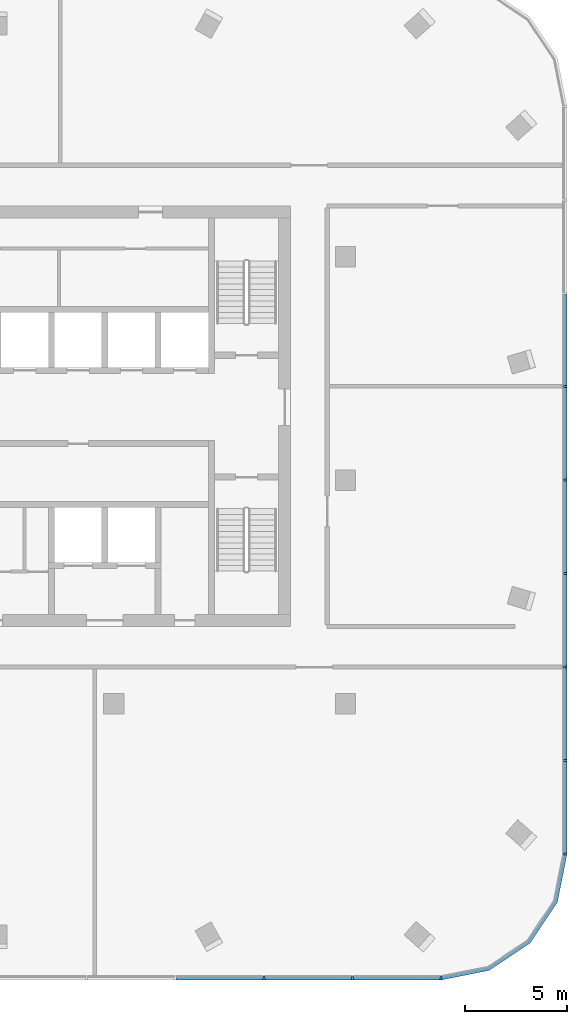
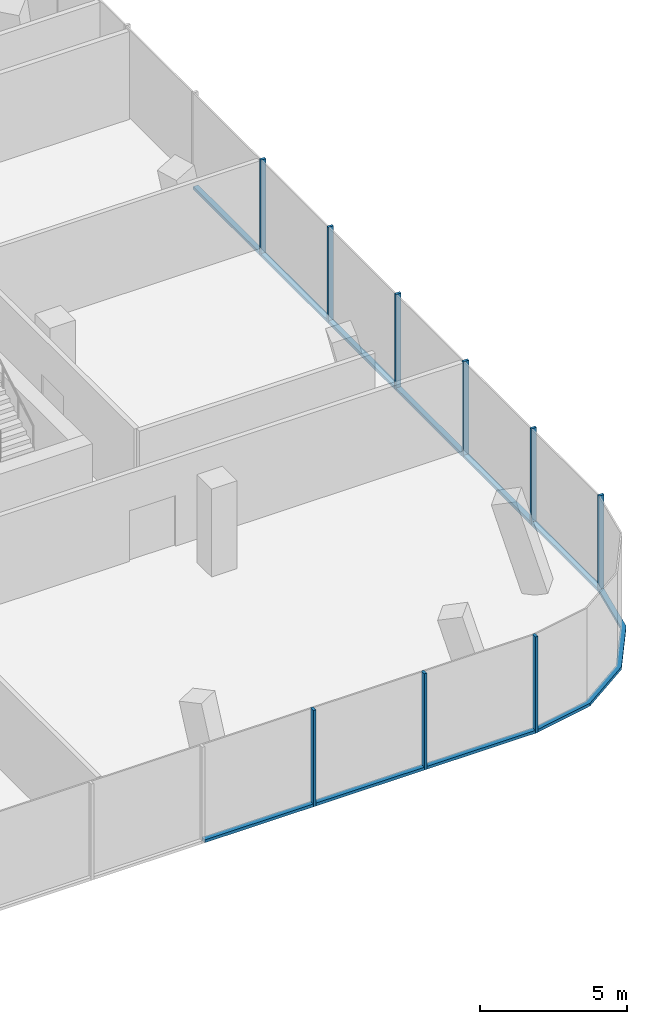
# One storey, part 3 of 10: 19 members, 3 elements without a shape of their own.
"""IFC4 building model written with IfcOpenShell, lengths in metres."""

from ifc_helpers import new_model, si_unit, direction, frame, origin, origin_2d, place, context, subcontext, project, spatial, polyline, rectangle, outline, extrude, material, material_profile, profile_set, type_object, element, aggregate, save


model = new_model("IFC4")

# Units and contexts
model_context = context("Model", 3, precision=1e-05, world=origin(), true_north=direction((0.0, 1.0)))
body_context = subcontext(model_context, "Body", "Model", "MODEL_VIEW")
ifc_project = project(units=[si_unit("LENGTHUNIT", "METRE"), si_unit("AREAUNIT", "SQUARE_METRE"), si_unit("VOLUMEUNIT", "CUBIC_METRE"), si_unit("PLANEANGLEUNIT", "RADIAN"), si_unit("MASSUNIT", "GRAM", prefix="KILO")], contexts=[model_context])

# Site, building, storey
site_placement = place(None, origin())
site = spatial("IfcSite", under=ifc_project, at=site_placement, CompositionType="ELEMENT")
building_placement = place(site_placement, origin())
building = spatial("IfcBuilding", under=site, at=building_placement, Name="Mopane Tessera Tower", CompositionType="ELEMENT")
storey_placement = place(building_placement, frame((0.0, 0.0, 325.39990234375)))
storey = spatial("IfcBuildingStorey", under=building, at=storey_placement, Name="L71", CompositionType="ELEMENT", Elevation=325.39990234375)

# Curtain wall, members
ifc_material_1 = material(Name="Aluminium frame", Category="aluminium")
curtain_wall_type = type_object("IfcCurtainWallType", Name="Unitised curtain wall", PredefinedType="NOTDEFINED", material=ifc_material_1)
curtain_wall_1_placement = place(storey_placement, origin())
curtain_wall_1 = element("IfcCurtainWall", 1, at=curtain_wall_1_placement, inside=storey, type_object=curtain_wall_type, Name="e:cw:L71:S:0", PredefinedType="NOTDEFINED")
ifc_material_2 = material(Name="Aluminium frame", Category="aluminium")
ifc_material_profile_1 = material_profile(ifc_material_2, rectangle(XDim=0.10009765625, YDim=0.199951171875, at=origin_2d()))
ifc_profile_set_1 = profile_set([ifc_material_profile_1], Name="Aluminium frame")
member_type_1 = type_object("IfcMemberType", Name="Aluminium mullion 100 x 200", PredefinedType="MULLION", material=ifc_profile_set_1)
member_1_placement = place(storey_placement, frame((13.080078125, -24.5, -0.349853515625), z_axis=(0.0, 0.0, 1.0), x_axis=(1.0, 0.0, 0.0)))
member_1 = element("IfcMember", 2, at=member_1_placement, type_object=member_type_1, Name="e:cw:L71:S:0:mu8", PredefinedType="MULLION", context=body_context, shape_type="SweptSolid", body=[
    extrude(rectangle(XDim=0.10009765625, YDim=0.199951171875, at=origin_2d()), origin(), (0.0, 0.0, 1.0), 4.0),
])
member_2_placement = place(storey_placement, frame((17.43994140625, -24.5, -0.349853515625), z_axis=(0.0, 0.0, 1.0), x_axis=(1.0, 0.0, 0.0)))
member_2 = element("IfcMember", 3, at=member_2_placement, type_object=member_type_1, Name="e:cw:L71:S:0:mu9", PredefinedType="MULLION", context=body_context, shape_type="SweptSolid", body=[
    extrude(rectangle(XDim=0.10009765625, YDim=0.199951171875, at=origin_2d()), origin(), (0.0, 0.0, 1.0), 4.0),
])
member_3_placement = place(storey_placement, frame((21.800048828125, -24.5, -0.349853515625), z_axis=(0.0, 0.0, 1.0), x_axis=(1.0, 0.0, 0.0)))
member_3 = element("IfcMember", 4, at=member_3_placement, type_object=member_type_1, Name="e:cw:L71:S:0:mu10", PredefinedType="MULLION", context=body_context, shape_type="SweptSolid", body=[
    extrude(rectangle(XDim=0.10009765625, YDim=0.199951171875, at=origin_2d()), origin(), (0.0, 0.0, 1.0), 4.0),
])

curtain_wall_2_placement = place(storey_placement, origin())
curtain_wall_2 = element("IfcCurtainWall", 5, at=curtain_wall_2_placement, inside=storey, type_object=curtain_wall_type, Name="e:cw:L71:E:0", PredefinedType="NOTDEFINED")
member_4_placement = place(storey_placement, frame((27.89990234375, -18.39990234375, -0.349853515625), z_axis=(0.0, 0.0, 1.0), x_axis=(0.0, 1.0, 0.0)))
member_4 = element("IfcMember", 6, at=member_4_placement, type_object=member_type_1, Name="e:cw:L71:E:0:mu0", PredefinedType="MULLION", context=body_context, shape_type="SweptSolid", body=[
    extrude(rectangle(XDim=0.10009765625, YDim=0.199951171875, at=origin_2d()), origin(), (0.0, 0.0, 1.0), 4.0),
])
member_5_placement = place(storey_placement, frame((27.89990234375, -13.800048828125, -0.349853515625), z_axis=(0.0, 0.0, 1.0), x_axis=(0.0, 1.0, 0.0)))
member_5 = element("IfcMember", 7, at=member_5_placement, type_object=member_type_1, Name="e:cw:L71:E:0:mu1", PredefinedType="MULLION", context=body_context, shape_type="SweptSolid", body=[
    extrude(rectangle(XDim=0.10009765625, YDim=0.199951171875, at=origin_2d()), origin(), (0.0, 0.0, 1.0), 4.0),
])
member_6_placement = place(storey_placement, frame((27.89990234375, -9.199951171875, -0.349853515625), z_axis=(0.0, 0.0, 1.0), x_axis=(0.0, 1.0, 0.0)))
member_6 = element("IfcMember", 8, at=member_6_placement, type_object=member_type_1, Name="e:cw:L71:E:0:mu2", PredefinedType="MULLION", context=body_context, shape_type="SweptSolid", body=[
    extrude(rectangle(XDim=0.10009765625, YDim=0.199951171875, at=origin_2d()), origin(), (0.0, 0.0, 1.0), 4.0),
])
member_7_placement = place(storey_placement, frame((27.89990234375, -4.60009765625, -0.349853515625), z_axis=(0.0, 0.0, 1.0), x_axis=(0.0, 1.0, 0.0)))
member_7 = element("IfcMember", 9, at=member_7_placement, type_object=member_type_1, Name="e:cw:L71:E:0:mu3", PredefinedType="MULLION", context=body_context, shape_type="SweptSolid", body=[
    extrude(rectangle(XDim=0.10009765625, YDim=0.199951171875, at=origin_2d()), origin(), (0.0, 0.0, 1.0), 4.0),
])
member_8_placement = place(storey_placement, frame((27.89990234375, 0.0, -0.349853515625), z_axis=(0.0, 0.0, 1.0), x_axis=(0.0, 1.0, 0.0)))
member_8 = element("IfcMember", 10, at=member_8_placement, type_object=member_type_1, Name="e:cw:L71:E:0:mu4", PredefinedType="MULLION", context=body_context, shape_type="SweptSolid", body=[
    extrude(rectangle(XDim=0.10009765625, YDim=0.199951171875, at=origin_2d()), origin(), (0.0, 0.0, 1.0), 4.0),
])
member_9_placement = place(storey_placement, frame((27.89990234375, 4.60009765625, -0.349853515625), z_axis=(0.0, 0.0, 1.0), x_axis=(0.0, 1.0, 0.0)))
member_9 = element("IfcMember", 11, at=member_9_placement, type_object=member_type_1, Name="e:cw:L71:E:0:mu5", PredefinedType="MULLION", context=body_context, shape_type="SweptSolid", body=[
    extrude(rectangle(XDim=0.10009765625, YDim=0.199951171875, at=origin_2d()), origin(), (0.0, 0.0, 1.0), 4.0),
])

# Member
ifc_material_3 = material(Name="Aluminium frame", Category="aluminium")
ifc_material_profile_2 = material_profile(ifc_material_3, rectangle(XDim=0.199951171875, YDim=0.1201171875, at=origin_2d()))
ifc_profile_set_2 = profile_set([ifc_material_profile_2], Name="Aluminium frame")
member_type_2 = type_object("IfcMemberType", Name="Aluminium transom 200 x 120", PredefinedType="USERDEFINED", material=ifc_profile_set_2)
member_10_placement = place(storey_placement, frame((8.77001953125, -24.5, -0.289794921875), z_axis=(1.0, 0.0, 0.0), x_axis=(0.0, 1.0, 0.0)))
member_10 = element("IfcMember", 12, at=member_10_placement, type_object=member_type_2, Name="e:cw:L71:S:0:tr7", ObjectType="TRANSOM", PredefinedType="USERDEFINED", context=body_context, shape_type="SweptSolid", body=[
    extrude(rectangle(XDim=0.199951171875, YDim=0.1201171875, at=origin_2d()), origin(), (0.0, 0.0, 1.0), 4.260009765625),
])

member_11_placement = place(storey_placement, frame((13.1298828125, -24.5, -0.289794921875), z_axis=(1.0, 0.0, 0.0), x_axis=(0.0, 1.0, 0.0)))
member_11 = element("IfcMember", 13, at=member_11_placement, type_object=member_type_2, Name="e:cw:L71:S:0:tr8", ObjectType="TRANSOM", PredefinedType="USERDEFINED", context=body_context, shape_type="SweptSolid", body=[
    extrude(rectangle(XDim=0.199951171875, YDim=0.1201171875, at=origin_2d()), origin(), (0.0, 0.0, 1.0), 4.260009765625),
])

member_12_placement = place(storey_placement, frame((17.489990234375, -24.5, -0.289794921875), z_axis=(1.0, 0.0, 0.0), x_axis=(0.0, 1.0, 0.0)))
member_12 = element("IfcMember", 14, at=member_12_placement, type_object=member_type_2, Name="e:cw:L71:S:0:tr9", ObjectType="TRANSOM", PredefinedType="USERDEFINED", context=body_context, shape_type="SweptSolid", body=[
    extrude(rectangle(XDim=0.199951171875, YDim=0.1201171875, at=origin_2d()), origin(), (0.0, 0.0, 1.0), 4.260009765625),
])

aggregate(curtain_wall_1, [member_1, member_2, member_3, member_10, member_11, member_12])

# Curtain wall, member
curtain_wall_3_placement = place(storey_placement, origin())
curtain_wall_3 = element("IfcCurtainWall", 15, at=curtain_wall_3_placement, inside=storey, type_object=curtain_wall_type, Name="e:cw:L71:CS", PredefinedType="NOTDEFINED")
member_13_placement = place(storey_placement, frame((0.0, 0.0, -0.349853515625)))
member_13 = element("IfcMember", 16, at=member_13_placement, type_object=member_type_2, Name="e:cw:L71:CS:tr", ObjectType="TRANSOM", PredefinedType="USERDEFINED", context=body_context, shape_type="SweptSolid", body=[
    extrude(outline(polyline([(21.800048828125, -24.39990234375), (24.09619140625, -23.943359375), (26.042724609375, -22.642578125), (27.34326171875, -20.696044921875), (27.800048828125, -18.39990234375), (28.0, -18.39990234375), (27.528076171875, -20.772705078125), (26.18408203125, -22.7841796875), (24.172607421875, -24.128173828125), (21.800048828125, -24.60009765625), (21.800048828125, -24.39990234375)])), origin(), (0.0, 0.0, 1.0), 0.119873046875),
])
aggregate(curtain_wall_3, [member_13])

# Member
member_14_placement = place(storey_placement, frame((27.89990234375, -18.35009765625, -0.289794921875), z_axis=(0.0, 1.0, 0.0), x_axis=(-1.0, 0.0, 0.0)))
member_14 = element("IfcMember", 17, at=member_14_placement, type_object=member_type_2, Name="e:cw:L71:E:0:tr0", ObjectType="TRANSOM", PredefinedType="USERDEFINED", context=body_context, shape_type="SweptSolid", body=[
    extrude(rectangle(XDim=0.199951171875, YDim=0.1201171875, at=origin_2d()), origin(), (0.0, 0.0, 1.0), 4.5),
])

member_15_placement = place(storey_placement, frame((27.89990234375, -13.75, -0.289794921875), z_axis=(0.0, 1.0, 0.0), x_axis=(-1.0, 0.0, 0.0)))
member_15 = element("IfcMember", 18, at=member_15_placement, type_object=member_type_2, Name="e:cw:L71:E:0:tr1", ObjectType="TRANSOM", PredefinedType="USERDEFINED", context=body_context, shape_type="SweptSolid", body=[
    extrude(rectangle(XDim=0.199951171875, YDim=0.1201171875, at=origin_2d()), origin(), (0.0, 0.0, 1.0), 4.5),
])

member_16_placement = place(storey_placement, frame((27.89990234375, -9.14990234375, -0.289794921875), z_axis=(0.0, 1.0, 0.0), x_axis=(-1.0, 0.0, 0.0)))
member_16 = element("IfcMember", 19, at=member_16_placement, type_object=member_type_2, Name="e:cw:L71:E:0:tr2", ObjectType="TRANSOM", PredefinedType="USERDEFINED", context=body_context, shape_type="SweptSolid", body=[
    extrude(rectangle(XDim=0.199951171875, YDim=0.1201171875, at=origin_2d()), origin(), (0.0, 0.0, 1.0), 4.5),
])

member_17_placement = place(storey_placement, frame((27.89990234375, -4.550048828125, -0.289794921875), z_axis=(0.0, 1.0, 0.0), x_axis=(-1.0, 0.0, 0.0)))
member_17 = element("IfcMember", 20, at=member_17_placement, type_object=member_type_2, Name="e:cw:L71:E:0:tr3", ObjectType="TRANSOM", PredefinedType="USERDEFINED", context=body_context, shape_type="SweptSolid", body=[
    extrude(rectangle(XDim=0.199951171875, YDim=0.1201171875, at=origin_2d()), origin(), (0.0, 0.0, 1.0), 4.5),
])

member_18_placement = place(storey_placement, frame((27.89990234375, 0.050048828125, -0.289794921875), z_axis=(0.0, 1.0, 0.0), x_axis=(-1.0, 0.0, 0.0)))
member_18 = element("IfcMember", 21, at=member_18_placement, type_object=member_type_2, Name="e:cw:L71:E:0:tr4", ObjectType="TRANSOM", PredefinedType="USERDEFINED", context=body_context, shape_type="SweptSolid", body=[
    extrude(rectangle(XDim=0.199951171875, YDim=0.1201171875, at=origin_2d()), origin(), (0.0, 0.0, 1.0), 4.5),
])

member_19_placement = place(storey_placement, frame((27.89990234375, 4.64990234375, -0.289794921875), z_axis=(0.0, 1.0, 0.0), x_axis=(-1.0, 0.0, 0.0)))
member_19 = element("IfcMember", 22, at=member_19_placement, type_object=member_type_2, Name="e:cw:L71:E:0:tr5", ObjectType="TRANSOM", PredefinedType="USERDEFINED", context=body_context, shape_type="SweptSolid", body=[
    extrude(rectangle(XDim=0.199951171875, YDim=0.1201171875, at=origin_2d()), origin(), (0.0, 0.0, 1.0), 4.5),
])

aggregate(curtain_wall_2, [member_4, member_5, member_6, member_7, member_8, member_9, member_14, member_15, member_16, member_17, member_18, member_19])

save(model, "model.ifc")
